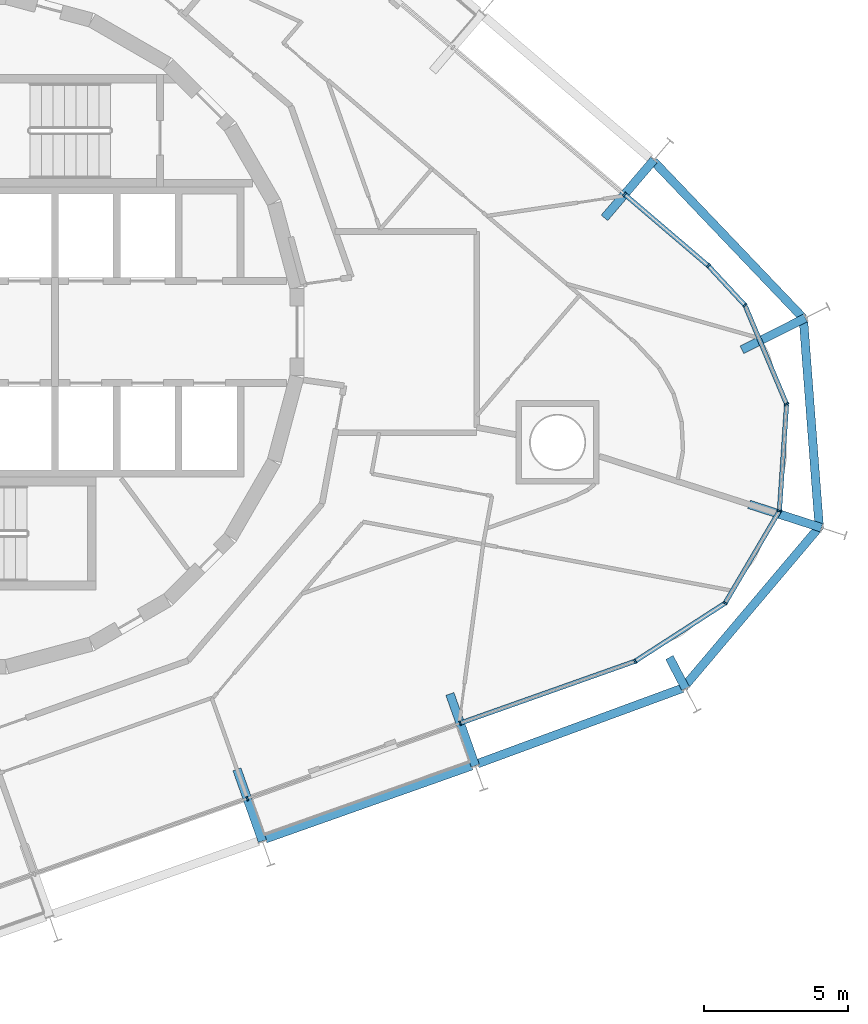
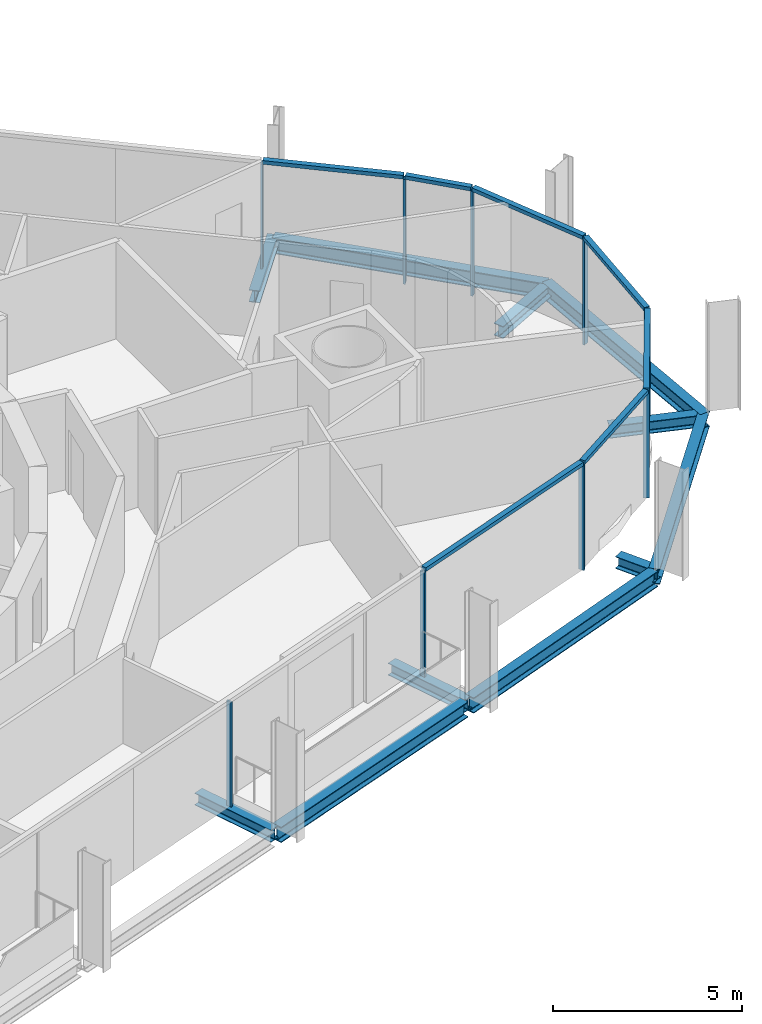
# One storey, part 5 of 17: 16 members, 11 beams, 3 elements without a shape of their own.
"""IFC4 building model written with IfcOpenShell, lengths in metres."""

from ifc_helpers import new_model, si_unit, direction, frame, origin, origin_2d, place, context, subcontext, project, spatial, rectangle, i_section, extrude, material, layer, layer_set, material_profile, profile_set, type_object, element, aggregate, save


model = new_model("IFC4")

# Units and contexts
model_context = context("Model", 3, precision=1e-05, world=origin(), true_north=direction((0.0, 1.0)))
body_context = subcontext(model_context, "Body", "Model", "MODEL_VIEW")
ifc_project = project(units=[si_unit("LENGTHUNIT", "METRE"), si_unit("AREAUNIT", "SQUARE_METRE"), si_unit("VOLUMEUNIT", "CUBIC_METRE"), si_unit("PLANEANGLEUNIT", "RADIAN"), si_unit("MASSUNIT", "GRAM", prefix="KILO")], contexts=[model_context])

# Site, building, storey
site_placement = place(None, origin())
site = spatial("IfcSite", under=ifc_project, at=site_placement, CompositionType="ELEMENT")
building_placement = place(site_placement, origin())
building = spatial("IfcBuilding", under=site, at=building_placement, Name="Spindle Arch Residences", CompositionType="ELEMENT")
storey_placement = place(building_placement, frame((0.0, 0.0, 158.699951171875)))
storey = spatial("IfcBuildingStorey", under=building, at=storey_placement, Name="L39", CompositionType="ELEMENT", Elevation=158.699951171875)

# Curtain wall, members
ifc_material_1 = material(Name="Aluminium bronze unitised frame with tinted glass", Category="aluminium")
ifc_layer_1 = layer(ifc_material_1, 0.159912109375)
ifc_layer_set_1 = layer_set([ifc_layer_1], Name="CW-D corner wall on the fillet arcs")
curtain_wall_type_1 = type_object("IfcCurtainWallType", Name="CW-D corner wall on the fillet arcs", PredefinedType="NOTDEFINED", material=ifc_layer_set_1)
curtain_wall_1_placement = place(storey_placement, origin())
curtain_wall_1 = element("IfcCurtainWall", 1, at=curtain_wall_1_placement, inside=storey, type_object=curtain_wall_type_1, Name="CW-D L39 run 1", PredefinedType="NOTDEFINED")
ifc_material_2 = material(Name="Aluminium bronze anodised mullion", Category="aluminium")
ifc_material_profile_1 = material_profile(ifc_material_2, rectangle(XDim=0.159912109375, YDim=0.06005859375, at=origin_2d()), Name="MU 60x160")
ifc_profile_set_1 = profile_set([ifc_material_profile_1], Name="Aluminium bronze anodised mullion")
member_type_1 = type_object("IfcMemberType", Name="Bronze mullion 60x160", PredefinedType="MULLION", material=ifc_profile_set_1)
member_1_placement = place(storey_placement, frame((17.326904296875, -13.609619140625, -0.3798828125), z_axis=(0.0, 0.0, 1.0), x_axis=(-0.333806859234, 0.942641491092, 0.0)))
member_1 = element("IfcMember", 2, at=member_1_placement, type_object=member_type_1, Name="CW-D mullion 00", PredefinedType="MULLION", context=body_context, shape_type="SweptSolid", body=[
    extrude(rectangle(XDim=0.159912109375, YDim=0.06005859375, at=origin_2d()), origin(), (0.0, 0.0, 1.0), 3.3798828125),
])
member_2_placement = place(storey_placement, frame((23.410400390625, -11.45556640625, -0.3798828125), z_axis=(0.0, 0.0, 1.0), x_axis=(-0.542197137778, 0.840251309898, 0.0)))
member_2 = element("IfcMember", 3, at=member_2_placement, type_object=member_type_1, Name="CW-D mullion 01", PredefinedType="MULLION", context=body_context, shape_type="SweptSolid", body=[
    extrude(rectangle(XDim=0.159912109375, YDim=0.06005859375, at=origin_2d()), origin(), (0.0, 0.0, 1.0), 3.3798828125),
])
member_3_placement = place(storey_placement, frame((26.541748046875, -9.434814453125, -0.3798828125), z_axis=(0.0, 0.0, 1.0), x_axis=(-0.86162915882, 0.507538365713, 0.0)))
member_3 = element("IfcMember", 4, at=member_3_placement, type_object=member_type_1, Name="CW-D mullion 02", PredefinedType="MULLION", context=body_context, shape_type="SweptSolid", body=[
    extrude(rectangle(XDim=0.159912109375, YDim=0.06005859375, at=origin_2d()), origin(), (0.0, 0.0, 1.0), 3.3798828125),
])
member_4_placement = place(storey_placement, frame((28.43310546875, -6.223876953125, -0.3798828125), z_axis=(0.0, 0.0, 1.0), x_axis=(-0.997762742461, 0.066854392204, 0.0)))
member_4 = element("IfcMember", 5, at=member_4_placement, type_object=member_type_1, Name="CW-D mullion 03", PredefinedType="MULLION", context=body_context, shape_type="SweptSolid", body=[
    extrude(rectangle(XDim=0.159912109375, YDim=0.06005859375, at=origin_2d()), origin(), (0.0, 0.0, 1.0), 3.3798828125),
])
member_5_placement = place(storey_placement, frame((28.682373046875, -2.50537109375, -0.3798828125), z_axis=(0.0, 0.0, 1.0), x_axis=(-0.921637549195, -0.388051836633, 0.0)))
member_5 = element("IfcMember", 6, at=member_5_placement, type_object=member_type_1, Name="CW-D mullion 04", PredefinedType="MULLION", context=body_context, shape_type="SweptSolid", body=[
    extrude(rectangle(XDim=0.159912109375, YDim=0.06005859375, at=origin_2d()), origin(), (0.0, 0.0, 1.0), 3.3798828125),
])
member_6_placement = place(storey_placement, frame((27.236083984375, 0.929443359375, -0.3798828125), z_axis=(0.0, 0.0, 1.0), x_axis=(-0.733334455983, -0.679868057543, 0.0)))
member_6 = element("IfcMember", 7, at=member_6_placement, type_object=member_type_1, Name="CW-D mullion 05", PredefinedType="MULLION", context=body_context, shape_type="SweptSolid", body=[
    extrude(rectangle(XDim=0.159912109375, YDim=0.06005859375, at=origin_2d()), origin(), (0.0, 0.0, 1.0), 3.3798828125),
])
member_7_placement = place(storey_placement, frame((25.960693359375, 2.30517578125, -0.3798828125), z_axis=(0.0, 0.0, 1.0), x_axis=(-0.64944804833, -0.7604059656, 0.0)))
member_7 = element("IfcMember", 8, at=member_7_placement, type_object=member_type_1, Name="CW-D mullion 06", PredefinedType="MULLION", context=body_context, shape_type="SweptSolid", body=[
    extrude(rectangle(XDim=0.159912109375, YDim=0.06005859375, at=origin_2d()), origin(), (0.0, 0.0, 1.0), 3.3798828125),
])

# Curtain wall, member
ifc_material_3 = material(Name="Aluminium bronze unitised frame with tinted glass", Category="aluminium")
ifc_layer_2 = layer(ifc_material_3, 0.159912109375)
ifc_layer_set_2 = layer_set([ifc_layer_2], Name="CW-C typical residential unitised wall")
curtain_wall_type_2 = type_object("IfcCurtainWallType", Name="CW-C typical residential unitised wall", PredefinedType="NOTDEFINED", material=ifc_layer_set_2)
curtain_wall_2_placement = place(storey_placement, origin())
curtain_wall_2 = element("IfcCurtainWall", 9, at=curtain_wall_2_placement, inside=storey, type_object=curtain_wall_type_2, Name="CW-C L39 run 2", PredefinedType="NOTDEFINED")
member_8_placement = place(storey_placement, frame((23.045654296875, 4.794677734375, -0.3798828125), z_axis=(0.0, 0.0, 1.0), x_axis=(-0.64944804833, -0.7604059656, 0.0)))
member_8 = element("IfcMember", 10, at=member_8_placement, type_object=member_type_1, Name="CW-C mullion 05", PredefinedType="MULLION", context=body_context, shape_type="SweptSolid", body=[
    extrude(rectangle(XDim=0.159912109375, YDim=0.06005859375, at=origin_2d()), origin(), (0.0, 0.0, 1.0), 3.3798828125),
])
aggregate(curtain_wall_2, [member_8])

curtain_wall_3_placement = place(storey_placement, origin())
curtain_wall_3 = element("IfcCurtainWall", 11, at=curtain_wall_3_placement, inside=storey, type_object=curtain_wall_type_2, Name="CW-C L39 run 6", PredefinedType="NOTDEFINED")
member_9_placement = place(storey_placement, frame((9.917724609375, -16.2333984375, -0.3798828125), z_axis=(0.0, 0.0, 1.0), x_axis=(-0.333806859234, 0.942641491092, 0.0)))
member_9 = element("IfcMember", 12, at=member_9_placement, type_object=member_type_1, Name="CW-C mullion 00", PredefinedType="MULLION", context=body_context, shape_type="SweptSolid", body=[
    extrude(rectangle(XDim=0.159912109375, YDim=0.06005859375, at=origin_2d()), origin(), (0.0, 0.0, 1.0), 3.3798828125),
])
aggregate(curtain_wall_3, [member_9])

# Member
ifc_material_4 = material(Name="Aluminium bronze anodised transom", Category="aluminium")
ifc_material_profile_2 = material_profile(ifc_material_4, rectangle(XDim=0.159912109375, YDim=0.1201171875, at=origin_2d()), Name="TR 120x160")
ifc_profile_set_2 = profile_set([ifc_material_profile_2], Name="Aluminium bronze anodised transom")
member_type_2 = type_object("IfcMemberType", Name="Bronze transom 120x160", PredefinedType="USERDEFINED", material=ifc_profile_set_2)
member_10_placement = place(storey_placement, frame((17.355224609375, -13.599609375, 3.06005859375), z_axis=(0.94265075566, 0.333780695748, 0.0), x_axis=(-0.333780695748, 0.94265075566, 0.0)))
member_10 = element("IfcMember", 13, at=member_10_placement, type_object=member_type_2, Name="CW-D transom 00", ObjectType="TRANSOM", PredefinedType="USERDEFINED", context=body_context, shape_type="SweptSolid", body=[
    extrude(rectangle(XDim=0.159912109375, YDim=0.1201171875, at=origin_2d()), origin(), (0.0, 0.0, 1.0), 6.3935546875),
])

member_11_placement = place(storey_placement, frame((23.435546875, -11.439208984375, 3.06005859375), z_axis=(0.840264358641, 0.542176915405, 0.0), x_axis=(-0.542176915405, 0.840264358641, 0.0)))
member_11 = element("IfcMember", 14, at=member_11_placement, type_object=member_type_2, Name="CW-D transom 01", ObjectType="TRANSOM", PredefinedType="USERDEFINED", context=body_context, shape_type="SweptSolid", body=[
    extrude(rectangle(XDim=0.159912109375, YDim=0.1201171875, at=origin_2d()), origin(), (0.0, 0.0, 1.0), 3.666748046875),
])

member_12_placement = place(storey_placement, frame((26.556884765625, -9.408935546875, 3.06005859375), z_axis=(0.507546689055, 0.861624255943, 0.0), x_axis=(-0.861624255943, 0.507546689055, 0.0)))
member_12 = element("IfcMember", 15, at=member_12_placement, type_object=member_type_2, Name="CW-D transom 02", ObjectType="TRANSOM", PredefinedType="USERDEFINED", context=body_context, shape_type="SweptSolid", body=[
    extrude(rectangle(XDim=0.159912109375, YDim=0.1201171875, at=origin_2d()), origin(), (0.0, 0.0, 1.0), 3.666748046875),
])

member_13_placement = place(storey_placement, frame((28.43505859375, -6.19384765625, 3.06005859375), z_axis=(0.066916740455, 0.997758562903, 0.0), x_axis=(-0.997758562903, 0.066916740455, 0.0)))
member_13 = element("IfcMember", 16, at=member_13_placement, type_object=member_type_2, Name="CW-D transom 03", ObjectType="TRANSOM", PredefinedType="USERDEFINED", context=body_context, shape_type="SweptSolid", body=[
    extrude(rectangle(XDim=0.159912109375, YDim=0.1201171875, at=origin_2d()), origin(), (0.0, 0.0, 1.0), 3.666748046875),
])

member_14_placement = place(storey_placement, frame((28.670654296875, -2.477783203125, 3.06005859375), z_axis=(-0.388045093438, 0.921640388361, 0.0), x_axis=(-0.921640388361, -0.388045093438, 0.0)))
member_14 = element("IfcMember", 17, at=member_14_placement, type_object=member_type_2, Name="CW-D transom 04", ObjectType="TRANSOM", PredefinedType="USERDEFINED", context=body_context, shape_type="SweptSolid", body=[
    extrude(rectangle(XDim=0.159912109375, YDim=0.1201171875, at=origin_2d()), origin(), (0.0, 0.0, 1.0), 3.666748046875),
])

member_15_placement = place(storey_placement, frame((27.2158203125, 0.951416015625, 3.06005859375), z_axis=(-0.679919851258, 0.733286435075, 0.0), x_axis=(-0.733286435075, -0.679919851258, 0.0)))
member_15 = element("IfcMember", 18, at=member_15_placement, type_object=member_type_2, Name="CW-D transom 05", ObjectType="TRANSOM", PredefinedType="USERDEFINED", context=body_context, shape_type="SweptSolid", body=[
    extrude(rectangle(XDim=0.159912109375, YDim=0.1201171875, at=origin_2d()), origin(), (0.0, 0.0, 1.0), 1.816162109375),
])

member_16_placement = place(storey_placement, frame((25.937744140625, 2.32470703125, 3.06005859375), z_axis=(-0.76037900371, 0.64947961532, 0.0), x_axis=(-0.64947961532, -0.76037900371, 0.0)))
member_16 = element("IfcMember", 19, at=member_16_placement, type_object=member_type_2, Name="CW-D transom 06", ObjectType="TRANSOM", PredefinedType="USERDEFINED", context=body_context, shape_type="SweptSolid", body=[
    extrude(rectangle(XDim=0.159912109375, YDim=0.1201171875, at=origin_2d()), origin(), (0.0, 0.0, 1.0), 3.773193359375),
])

aggregate(curtain_wall_1, [member_1, member_10, member_2, member_11, member_3, member_12, member_4, member_13, member_5, member_14, member_6, member_15, member_7, member_16])

# Beams
ifc_material_5 = material(Name="Steel S460ML, intumescent coating R 120", Category="steel")
ifc_material_profile_3 = material_profile(ifc_material_5, i_section(OverallWidth=0.300048828125, OverallDepth=0.5, WebThickness=0.014404296875, FlangeThickness=0.028076171875, FilletRadius=0.027099609375, at=origin_2d()), Name="HEB 500")
ifc_profile_set_3 = profile_set([ifc_material_profile_3], Name="Steel S460ML, intumescent coating R 120")
beam_type_1 = type_object("IfcBeamType", Name="Exoskeleton edge beam HEB 500", PredefinedType="BEAM", material=ifc_profile_set_3)
beam_1_placement = place(storey_placement, frame((10.551025390625, -17.63232421875, -0.6298828125), z_axis=(0.942633964352, 0.33382811333, 0.0), x_axis=(-0.33382811333, 0.942633964352, 0.0)))
element("IfcBeam", 20, at=beam_1_placement, inside=storey, type_object=beam_type_1, Name="Exoskeleton edge beam 1", PredefinedType="BEAM", context=body_context, shape_type="SweptSolid", body=[
    extrude(i_section(OverallWidth=0.300048828125, OverallDepth=0.5, WebThickness=0.014404296875, FlangeThickness=0.028076171875, FilletRadius=0.027099609375, at=origin_2d()), origin(), (0.0, 0.0, 1.0), 7.60009765625),
])
beam_2_placement = place(storey_placement, frame((17.927978515625, -15.01953125, -0.6298828125), z_axis=(0.938417721989, 0.345502791677, 0.0), x_axis=(-0.345502791677, 0.938417721989, 0.0)))
element("IfcBeam", 21, at=beam_2_placement, inside=storey, type_object=beam_type_1, Name="Exoskeleton edge beam 2", PredefinedType="BEAM", context=body_context, shape_type="SweptSolid", body=[
    extrude(i_section(OverallWidth=0.300048828125, OverallDepth=0.5, WebThickness=0.014404296875, FlangeThickness=0.028076171875, FilletRadius=0.027099609375, at=origin_2d()), origin(), (0.0, 0.0, 1.0), 7.59619140625),
])
for number, where, z_axis, x_axis, name in (
    (22, (25.08349609375, -12.3837890625, -0.6298828125), (0.645788487343, 0.763516358446, 0.0), (-0.763516358446, 0.645788487343, 0.0), "Exoskeleton edge beam 3"),
    (23, (29.823974609375, -6.856201171875, -0.6298828125), (-0.076078644635, 0.997101820192, 0.0), (-0.997101820192, -0.076078644635, 0.0), "Exoskeleton edge beam 4"),
):
    element("IfcBeam", number, at=place(storey_placement, frame(where, z_axis=z_axis, x_axis=x_axis)), inside=storey, type_object=beam_type_1, Name=name, PredefinedType="BEAM", context=body_context, shape_type="SweptSolid", body=[
        extrude(i_section(OverallWidth=0.300048828125, OverallDepth=0.5, WebThickness=0.014404296875, FlangeThickness=0.028076171875, FilletRadius=0.027099609375, at=origin_2d()), origin(), (0.0, 0.0, 1.0), 7.4033203125),
    ])
beam_3_placement = place(storey_placement, frame((29.263916015625, 0.484375, -0.6298828125), z_axis=(-0.690454167384, 0.72337614195, 0.0), x_axis=(-0.72337614195, -0.690454167384, 0.0)))
element("IfcBeam", 24, at=beam_3_placement, inside=storey, type_object=beam_type_1, Name="Exoskeleton edge beam 5", PredefinedType="BEAM", context=body_context, shape_type="SweptSolid", body=[
    extrude(i_section(OverallWidth=0.300048828125, OverallDepth=0.5, WebThickness=0.014404296875, FlangeThickness=0.028076171875, FilletRadius=0.027099609375, at=origin_2d()), origin(), (0.0, 0.0, 1.0), 7.534423828125),
])
ifc_material_6 = material(Name="Steel S460ML, intumescent coating R 120", Category="steel")
ifc_material_profile_4 = material_profile(ifc_material_6, i_section(OverallWidth=0.300048828125, OverallDepth=0.389892578125, WebThickness=0.010986328125, FlangeThickness=0.01904296875, FilletRadius=0.027099609375, at=origin_2d()), Name="HEA 400")
ifc_profile_set_4 = profile_set([ifc_material_profile_4], Name="Steel S460ML, intumescent coating R 120")
beam_type_2 = type_object("IfcBeamType", Name="Floor outrigger HEA 400", PredefinedType="BEAM", material=ifc_profile_set_4)
beam_4_placement = place(storey_placement, frame((10.44189453125, -17.71337890625, -0.574951171875), z_axis=(-0.333860785086, 0.942622393211, 0.0), x_axis=(-0.942622393211, -0.333860785086, 0.0)))
element("IfcBeam", 25, at=beam_4_placement, inside=storey, type_object=beam_type_2, Name="Floor outrigger 1", PredefinedType="BEAM", context=body_context, shape_type="SweptSolid", body=[
    extrude(i_section(OverallWidth=0.300048828125, OverallDepth=0.389892578125, WebThickness=0.010986328125, FlangeThickness=0.01904296875, FilletRadius=0.027099609375, at=origin_2d()), origin(), (0.0, 0.0, 1.0), 2.650146484375),
])
beam_5_placement = place(storey_placement, frame((17.85107421875, -15.089599609375, -0.574951171875), z_axis=(-0.333778924893, 0.942651382695, 0.0), x_axis=(-0.942651382695, -0.333778924893, 0.0)))
element("IfcBeam", 26, at=beam_5_placement, inside=storey, type_object=beam_type_2, Name="Floor outrigger 2", PredefinedType="BEAM", context=body_context, shape_type="SweptSolid", body=[
    extrude(i_section(OverallWidth=0.300048828125, OverallDepth=0.389892578125, WebThickness=0.010986328125, FlangeThickness=0.01904296875, FilletRadius=0.027099609375, at=origin_2d()), origin(), (0.0, 0.0, 1.0), 2.64990234375),
])
beam_6_placement = place(storey_placement, frame((25.166015625, -12.400146484375, -0.574951171875), z_axis=(-0.461536115739, 0.887121420026, 0.0), x_axis=(-0.887121420026, -0.461536115739, 0.0)))
element("IfcBeam", 27, at=beam_6_placement, inside=storey, type_object=beam_type_2, Name="Floor outrigger 3", PredefinedType="BEAM", context=body_context, shape_type="SweptSolid", body=[
    extrude(i_section(OverallWidth=0.300048828125, OverallDepth=0.389892578125, WebThickness=0.010986328125, FlangeThickness=0.01904296875, FilletRadius=0.027099609375, at=origin_2d()), origin(), (0.0, 0.0, 1.0), 1.215576171875),
])
beam_7_placement = place(storey_placement, frame((29.894287109375, -6.81005859375, -0.574951171875), z_axis=(-0.951419914018, 0.307896325424, 0.0), x_axis=(-0.307896325424, -0.951419914018, 0.0)))
element("IfcBeam", 28, at=beam_7_placement, inside=storey, type_object=beam_type_2, Name="Floor outrigger 4", PredefinedType="BEAM", context=body_context, shape_type="SweptSolid", body=[
    extrude(i_section(OverallWidth=0.300048828125, OverallDepth=0.389892578125, WebThickness=0.010986328125, FlangeThickness=0.01904296875, FilletRadius=0.027099609375, at=origin_2d()), origin(), (0.0, 0.0, 1.0), 2.64990234375),
])
beam_8_placement = place(storey_placement, frame((29.33740234375, 0.490478515625, -0.574951171875), z_axis=(-0.8937538876, -0.448557675668, 0.0), x_axis=(0.448557675668, -0.8937538876, 0.0)))
element("IfcBeam", 29, at=beam_8_placement, inside=storey, type_object=beam_type_2, Name="Floor outrigger 5", PredefinedType="BEAM", context=body_context, shape_type="SweptSolid", body=[
    extrude(i_section(OverallWidth=0.300048828125, OverallDepth=0.389892578125, WebThickness=0.010986328125, FlangeThickness=0.01904296875, FilletRadius=0.027099609375, at=origin_2d()), origin(), (0.0, 0.0, 1.0), 2.469482421875),
])
beam_9_placement = place(storey_placement, frame((24.065185546875, 5.988525390625, -0.574951171875), z_axis=(-0.64941704551, -0.760432443417, 0.0), x_axis=(0.760432443417, -0.64941704551, 0.0)))
element("IfcBeam", 30, at=beam_9_placement, inside=storey, type_object=beam_type_2, Name="Floor outrigger 6", PredefinedType="BEAM", context=body_context, shape_type="SweptSolid", body=[
    extrude(i_section(OverallWidth=0.300048828125, OverallDepth=0.389892578125, WebThickness=0.010986328125, FlangeThickness=0.01904296875, FilletRadius=0.027099609375, at=origin_2d()), origin(), (0.0, 0.0, 1.0), 2.64990234375),
])

save(model, "model.ifc")
